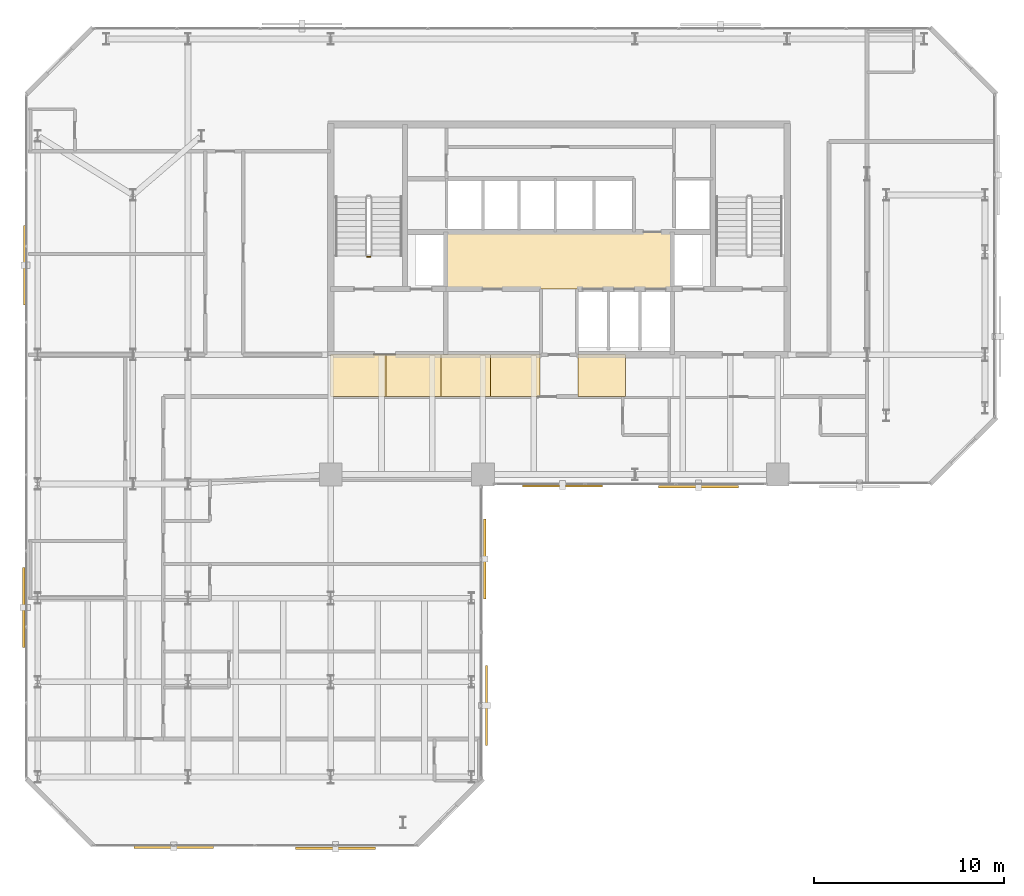
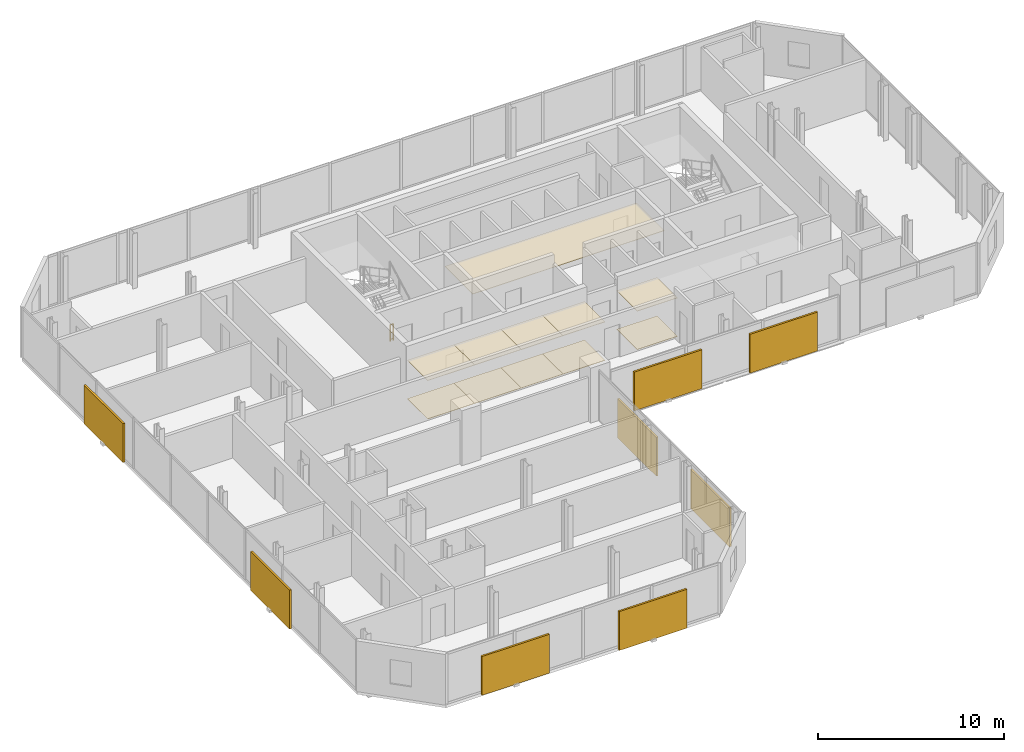
# One storey, part 31 of 32: 11 coverings, 8 shading devices, 1 railing.
"""IFC4 building model written with IfcOpenShell, lengths in metres."""

from ifc_helpers import new_model, si_unit, direction, frame, origin, origin_2d, place, context, subcontext, project, spatial, polyline, rectangle, circle, outline, extrude, material, layer, layer_set, type_object, element, save


model = new_model("IFC4")

# Units and contexts
model_context = context("Model", 3, precision=1e-05, world=origin(), true_north=direction((0.0, 1.0)))
body_context = subcontext(model_context, "Body", "Model", "MODEL_VIEW")
ifc_project = project(units=[si_unit("LENGTHUNIT", "METRE"), si_unit("AREAUNIT", "SQUARE_METRE"), si_unit("VOLUMEUNIT", "CUBIC_METRE"), si_unit("PLANEANGLEUNIT", "RADIAN"), si_unit("MASSUNIT", "GRAM", prefix="KILO")], contexts=[model_context])

# Site, building, storey
site_placement = place(None, origin())
site = spatial("IfcSite", under=ifc_project, at=site_placement, CompositionType="ELEMENT")
building_placement = place(site_placement, origin())
building = spatial("IfcBuilding", under=site, at=building_placement, Name="Catumbela Crestline Tower", CompositionType="ELEMENT")
storey_placement = place(building_placement, frame((0.0, 0.0, 126.0)))
storey = spatial("IfcBuildingStorey", under=building, at=storey_placement, Name="L32", CompositionType="ELEMENT", Elevation=126.0)

# Coverings
ifc_material_1 = material(Name="Mineral-fibre acoustic ceiling")
ifc_layer_1 = layer(ifc_material_1, 0.03, Name="Mineral-fibre acoustic ceiling")
ifc_layer_set_1 = layer_set([ifc_layer_1], Name="Mineral-fibre acoustic ceiling")
covering_type_1 = type_object("IfcCoveringType", Name="CC-AC", PredefinedType="CEILING", material=ifc_layer_set_1)
covering_1_placement = place(storey_placement, frame((0.0, 0.0, 2.65)))
element("IfcCovering", 1, at=covering_1_placement, inside=storey, type_object=covering_type_1, Name="L32 Lift Lobby Acoustic Ceiling", PredefinedType="CEILING", context=body_context, shape_type="SweptSolid", body=[
    extrude(outline(polyline([(22.05, 34.25), (33.95, 34.25), (33.95, 37.25), (22.05, 37.25), (22.05, 34.25)])), origin(), (0.0, 0.0, 1.0), 0.03),
])
covering_2_placement = place(storey_placement, frame((0.0, 0.0, 2.52)))
element("IfcCovering", 2, at=covering_2_placement, inside=storey, type_object=covering_type_1, Name="L32 Corridor Acoustic Ceiling Bay 1", PredefinedType="CEILING", context=body_context, shape_type="SweptSolid", body=[
    extrude(outline(polyline([(16.0, 28.6), (18.9, 28.6), (18.9, 30.8), (16.0, 30.8), (16.0, 28.6)])), origin(), (0.0, 0.0, 1.0), 0.03),
])
covering_3_placement = place(storey_placement, frame((0.0, 0.0, 2.52)))
element("IfcCovering", 3, at=covering_3_placement, inside=storey, type_object=covering_type_1, Name="L32 Corridor Acoustic Ceiling Bay 2", PredefinedType="CEILING", context=body_context, shape_type="SweptSolid", body=[
    extrude(outline(polyline([(18.9, 28.6), (21.8, 28.6), (21.8, 30.8), (18.9, 30.8), (18.9, 28.6)])), origin(), (0.0, 0.0, 1.0), 0.03),
])
covering_4_placement = place(storey_placement, frame((0.0, 0.0, 2.52)))
element("IfcCovering", 4, at=covering_4_placement, inside=storey, type_object=covering_type_1, Name="L32 Corridor Acoustic Ceiling Bay 3", PredefinedType="CEILING", context=body_context, shape_type="SweptSolid", body=[
    extrude(outline(polyline([(21.8, 28.6), (24.4, 28.6), (24.4, 30.8), (21.8, 30.8), (21.8, 28.6)])), origin(), (0.0, 0.0, 1.0), 0.03),
])
covering_5_placement = place(storey_placement, frame((0.0, 0.0, 2.52)))
element("IfcCovering", 5, at=covering_5_placement, inside=storey, type_object=covering_type_1, Name="L32 Corridor Acoustic Ceiling Bay 4", PredefinedType="CEILING", context=body_context, shape_type="SweptSolid", body=[
    extrude(outline(polyline([(24.4, 28.6), (27.0, 28.6), (27.0, 30.8), (24.4, 30.8), (24.4, 28.6)])), origin(), (0.0, 0.0, 1.0), 0.03),
])
covering_6_placement = place(storey_placement, frame((0.0, 0.0, 2.52)))
element("IfcCovering", 6, at=covering_6_placement, inside=storey, type_object=covering_type_1, Name="L32 Corridor Acoustic Ceiling Bay 5", PredefinedType="CEILING", context=body_context, shape_type="SweptSolid", body=[
    extrude(outline(polyline([(29.0, 28.6), (31.5, 28.6), (31.5, 30.8), (29.0, 30.8), (29.0, 28.6)])), origin(), (0.0, 0.0, 1.0), 0.03),
])
ifc_material_2 = material(Name="Angolan grey-ochre granite", Category="masonry")
ifc_layer_2 = layer(ifc_material_2, 0.025, Name="Angolan grey-ochre granite")
ifc_layer_set_2 = layer_set([ifc_layer_2], Name="Angolan grey-ochre granite")
covering_type_2 = type_object("IfcCoveringType", Name="CF-GR", PredefinedType="FLOORING", material=ifc_layer_set_2)
covering_7_placement = place(storey_placement, origin())
element("IfcCovering", 7, at=covering_7_placement, inside=storey, type_object=covering_type_2, Name="L32 Corridor Granite Flooring Bay 1", PredefinedType="FLOORING", context=body_context, shape_type="SweptSolid", body=[
    extrude(outline(polyline([(16.0, 28.6), (18.9, 28.6), (18.9, 30.8), (16.0, 30.8), (16.0, 28.6)])), origin(), (0.0, 0.0, 1.0), 0.025),
])
covering_8_placement = place(storey_placement, origin())
element("IfcCovering", 8, at=covering_8_placement, inside=storey, type_object=covering_type_2, Name="L32 Corridor Granite Flooring Bay 2", PredefinedType="FLOORING", context=body_context, shape_type="SweptSolid", body=[
    extrude(outline(polyline([(18.9, 28.6), (21.8, 28.6), (21.8, 30.8), (18.9, 30.8), (18.9, 28.6)])), origin(), (0.0, 0.0, 1.0), 0.025),
])
covering_9_placement = place(storey_placement, origin())
element("IfcCovering", 9, at=covering_9_placement, inside=storey, type_object=covering_type_2, Name="L32 Corridor Granite Flooring Bay 3", PredefinedType="FLOORING", context=body_context, shape_type="SweptSolid", body=[
    extrude(outline(polyline([(21.8, 28.6), (24.4, 28.6), (24.4, 30.8), (21.8, 30.8), (21.8, 28.6)])), origin(), (0.0, 0.0, 1.0), 0.025),
])
covering_10_placement = place(storey_placement, origin())
element("IfcCovering", 10, at=covering_10_placement, inside=storey, type_object=covering_type_2, Name="L32 Corridor Granite Flooring Bay 4", PredefinedType="FLOORING", context=body_context, shape_type="SweptSolid", body=[
    extrude(outline(polyline([(24.4, 28.6), (27.0, 28.6), (27.0, 30.8), (24.4, 30.8), (24.4, 28.6)])), origin(), (0.0, 0.0, 1.0), 0.025),
])
covering_11_placement = place(storey_placement, origin())
element("IfcCovering", 11, at=covering_11_placement, inside=storey, type_object=covering_type_2, Name="L32 Corridor Granite Flooring Bay 5", PredefinedType="FLOORING", context=body_context, shape_type="SweptSolid", body=[
    extrude(outline(polyline([(29.0, 28.6), (31.5, 28.6), (31.5, 30.8), (29.0, 30.8), (29.0, 28.6)])), origin(), (0.0, 0.0, 1.0), 0.025),
])

# Railing
ifc_material_3 = material(Name="Stainless steel EN 1.4401", Category="steel")
railing_type = type_object("IfcRailingType", Name="RG-1100", PredefinedType="GUARDRAIL", material=ifc_material_3)
railing_placement = place(storey_placement, frame((18.09, 35.95, 0.0)))
element("IfcRailing", 12, at=railing_placement, inside=storey, type_object=railing_type, Name="L32 ST-01 stair guard 4", PredefinedType="GUARDRAIL", context=body_context, shape_type="SweptSolid", body=[
    extrude(circle(Radius=0.024, at=origin_2d()), frame((0.0, 0.0, 1.076), z_axis=(-1.0, 0.0, 0.0), x_axis=(0.0, -1.0, 0.0)), (0.0, 0.0, 1.0), 0.18),
    extrude(circle(Radius=0.0156, at=origin_2d()), frame((0.0, 0.0, 0.55), z_axis=(-1.0, 0.0, 0.0), x_axis=(0.0, -1.0, 0.0)), (0.0, 0.0, 1.0), 0.18),
    extrude(circle(Radius=0.0156, at=origin_2d()), frame((0.0, 0.0, 0.12), z_axis=(-1.0, 0.0, 0.0), x_axis=(0.0, -1.0, 0.0)), (0.0, 0.0, 1.0), 0.18),
    extrude(circle(Radius=0.021, at=origin_2d()), origin(), (0.0, 0.0, 1.0), 1.052),
    extrude(circle(Radius=0.021, at=origin_2d()), frame((-0.18, 0.0, 0.0)), (0.0, 0.0, 1.0), 1.052),
])

# Shading devices
ifc_material_4 = material(Name="Extruded terracotta ceramic", Category="masonry")
shading_device_type_1 = type_object("IfcShadingDeviceType", Name="ST-180", PredefinedType="USERDEFINED", material=ifc_material_4)
for number, where, z_axis, x_axis, name in (
    (13, (7.75, 4.901, -0.1), (0.0, 0.0, 1.0), (1.0, 0.0, 0.0), "L32 Perforated Terracotta Solar Screen 341 (180 mm)"),
    (14, (24.099, 20.05, -0.1), (0.0, 0.0, 1.0), (0.0, 1.0, 0.0), "L32 Perforated Terracotta Solar Screen 344 (180 mm)"),
    (15, (28.175, 23.901, -0.1), (0.0, 0.0, 1.0), (1.0, 0.0, 0.0), "L32 Perforated Terracotta Solar Screen 345 (180 mm)"),
    (16, (-0.099, 35.5, -0.1), (0.0, 0.0, 1.0), (0.0, -1.0, 0.0), "L32 Perforated Terracotta Solar Screen 352 (180 mm)"),
):
    element("IfcShadingDevice", number, at=place(storey_placement, frame(where, z_axis=z_axis, x_axis=x_axis)), inside=storey, type_object=shading_device_type_1, Name=name, ObjectType="SCREEN", PredefinedType="USERDEFINED", context=body_context, shape_type="SweptSolid", body=[
        extrude(rectangle(XDim=4.2, YDim=0.12, at=origin_2d()), origin(), (0.0, 0.0, 1.0), 2.55),
    ])
shading_device_type_2 = type_object("IfcShadingDeviceType", Name="ST-260", PredefinedType="USERDEFINED", material=ifc_material_4)
for number, where, z_axis, x_axis, name in (
    (17, (16.25, 4.857, -0.1), (0.0, 0.0, 1.0), (1.0, 0.0, 0.0), "L32 Perforated Terracotta Solar Screen 342 (260 mm)"),
    (18, (35.325, 23.857, -0.1), (0.0, 0.0, 1.0), (1.0, 0.0, 0.0), "L32 Perforated Terracotta Solar Screen 346 (260 mm)"),
    (19, (-0.143, 17.5, -0.1), (0.0, 0.0, 1.0), (0.0, -1.0, 0.0), "L32 Perforated Terracotta Solar Screen 353 (260 mm)"),
):
    element("IfcShadingDevice", number, at=place(storey_placement, frame(where, z_axis=z_axis, x_axis=x_axis)), inside=storey, type_object=shading_device_type_2, Name=name, ObjectType="SCREEN", PredefinedType="USERDEFINED", context=body_context, shape_type="SweptSolid", body=[
        extrude(rectangle(XDim=4.2, YDim=0.12, at=origin_2d()), origin(), (0.0, 0.0, 1.0), 2.55),
    ])
shading_device_type_3 = type_object("IfcShadingDeviceType", Name="ST-340", PredefinedType="USERDEFINED", material=ifc_material_4)
shading_device_placement = place(storey_placement, frame((24.187, 12.35, -0.1), z_axis=(0.0, 0.0, 1.0), x_axis=(0.0, 1.0, 0.0)))
element("IfcShadingDevice", 20, at=shading_device_placement, inside=storey, type_object=shading_device_type_3, Name="L32 Perforated Terracotta Solar Screen 343 (340 mm)", ObjectType="SCREEN", PredefinedType="USERDEFINED", context=body_context, shape_type="SweptSolid", body=[
    extrude(rectangle(XDim=4.2, YDim=0.12, at=origin_2d()), origin(), (0.0, 0.0, 1.0), 2.55),
])

save(model, "model.ifc")
